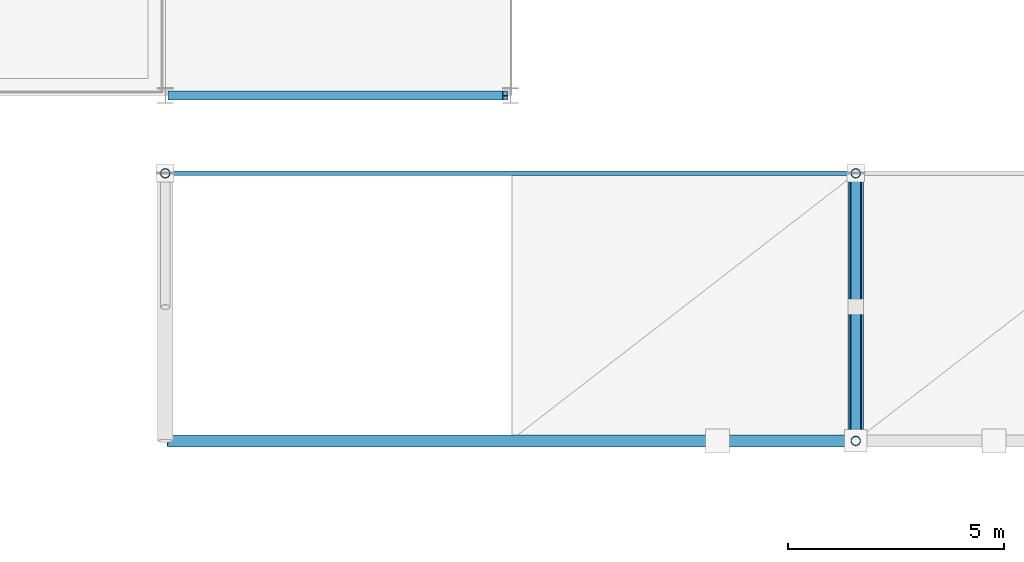
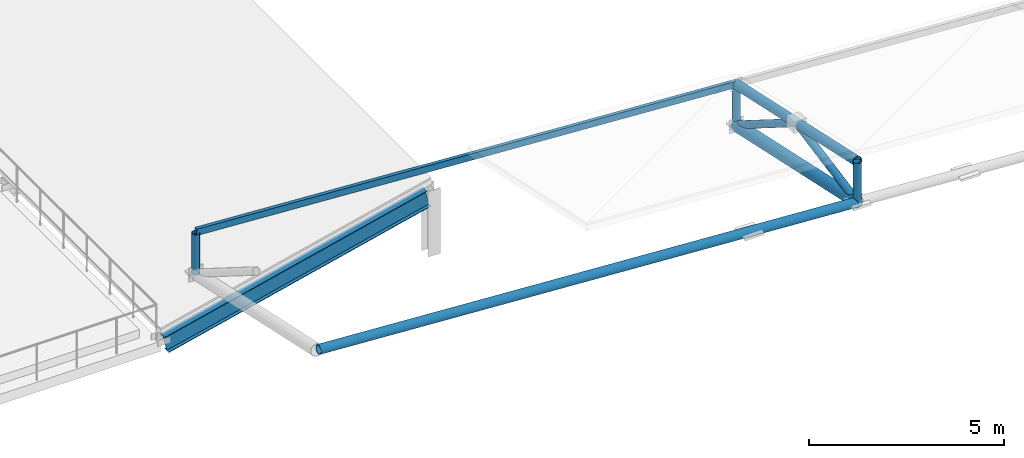
# One storey, part 41 of 83: 7 members, 3 beams.
"""IFC4 building model written with IfcOpenShell, lengths in metres."""

from ifc_helpers import new_model, si_unit, direction, frame, origin, origin_2d, place, context, subcontext, project, spatial, hollow_rectangle, hollow_circle, i_section, extrude, material, material_profile, profile_set, type_object, element, save


model = new_model("IFC4")

# Units and contexts
model_context = context("Model", 3, precision=1e-05, world=origin(), true_north=direction((0.0, 1.0)))
body_context = subcontext(model_context, "Body", "Model", "MODEL_VIEW")
ifc_project = project(units=[si_unit("LENGTHUNIT", "METRE"), si_unit("AREAUNIT", "SQUARE_METRE"), si_unit("VOLUMEUNIT", "CUBIC_METRE"), si_unit("PLANEANGLEUNIT", "RADIAN"), si_unit("MASSUNIT", "GRAM", prefix="KILO")], contexts=[model_context])

# Site, building, storey
site_placement = place(None, origin())
site = spatial("IfcSite", under=ifc_project, at=site_placement, CompositionType="ELEMENT")
building_placement = place(site_placement, origin())
building = spatial("IfcBuilding", under=site, at=building_placement, Name="Drelvath Fold Interchange", CompositionType="ELEMENT")
storey_placement = place(building_placement, frame((0.0, 0.0, 11.199951171875)))
storey = spatial("IfcBuildingStorey", under=building, at=storey_placement, Name="L02", CompositionType="ELEMENT", Elevation=11.199951171875)

# Beam
ifc_material_1 = material(Name="Steel ASTM A992 Grade 50", Category="steel")
ifc_material_profile_1 = material_profile(ifc_material_1, i_section(OverallWidth=0.2099609375, OverallDepth=0.537109375, WebThickness=0.010986328125, FlangeThickness=0.017333984375, at=origin_2d()), Name="W21X68")
ifc_profile_set_1 = profile_set([ifc_material_profile_1], Name="Steel ASTM A992 Grade 50")
beam_type_1 = type_object("IfcBeamType", Name="BM-W21X68", PredefinedType="SPANDREL", material=ifc_profile_set_1)
beam_1_placement = place(storey_placement, frame((134.1201171875, 75.0, -0.099853515625), z_axis=(0.972374526355, 0.0, 0.233426177828), x_axis=(0.0, 1.0, 0.0)))
element("IfcBeam", 1, at=beam_1_placement, inside=storey, type_object=beam_type_1, Name="Cycle hub east sawtooth rafter", PredefinedType="SPANDREL", context=body_context, shape_type="SweptSolid", body=[
    extrude(i_section(OverallWidth=0.2099609375, OverallDepth=0.537109375, WebThickness=0.010986328125, FlangeThickness=0.017333984375, at=origin_2d()), origin(), (0.0, 0.0, 1.0), 7.980224609375),
])

# Members
ifc_material_2 = material(Name="Steel ASTM A500 Grade C", Category="steel")
ifc_material_profile_2 = material_profile(ifc_material_2, hollow_rectangle(XDim=0.10205078125, YDim=0.202880859375, WallThickness=0.00732421875, at=origin_2d()), Name="HSS8X4X5/16")
ifc_profile_set_2 = profile_set([ifc_material_profile_2], Name="Steel ASTM A500 Grade C")
member_type_1 = type_object("IfcMemberType", Name="PR-HSS203", PredefinedType="PURLIN", material=ifc_profile_set_2)
member_1_placement = place(storey_placement, frame((134.0, 73.199951171875, 4.525146484375), z_axis=(0.998196786761, 0.0, -0.06002645167), x_axis=(0.0, 1.0, 0.0)))
element("IfcMember", 2, at=member_1_placement, inside=storey, type_object=member_type_1, Name="L02 Space frame canopy purlin PR-HSS203", PredefinedType="PURLIN", context=body_context, shape_type="SweptSolid", body=[
    extrude(hollow_rectangle(XDim=0.10205078125, YDim=0.202880859375, WallThickness=0.00732421875, at=origin_2d()), origin(), (0.0, 0.0, 1.0), 16.02880859375),
])
ifc_material_profile_3 = material_profile(ifc_material_2, hollow_circle(Radius=0.136474609375, WallThickness=0.01171875, at=origin_2d()), Name="HSS10.750X0.500")
ifc_profile_set_3 = profile_set([ifc_material_profile_3], Name="Steel ASTM A500 Grade C")
member_type_2 = type_object("IfcMemberType", Name="SF-CHD273", PredefinedType="CHORD", material=ifc_profile_set_3)
member_2_placement = place(storey_placement, frame((150.0, 67.0, 4.882080078125), z_axis=(0.0, 0.977069636285, -0.212919998708), x_axis=(-1.0, 0.0, 0.0)))
element("IfcMember", 3, at=member_2_placement, inside=storey, type_object=member_type_2, Name="L02 Space frame roof truss upper chord SF-CHD273", PredefinedType="CHORD", context=body_context, shape_type="SweptSolid", body=[
    extrude(hollow_circle(Radius=0.136474609375, WallThickness=0.01171875, at=origin_2d()), origin(), (0.0, 0.0, 1.0), 6.345458984375),
])

# Beams
ifc_material_profile_4 = material_profile(ifc_material_2, hollow_circle(Radius=0.177978515625, WallThickness=0.01171875, at=origin_2d()), Name="HSS14.000X0.500")
ifc_profile_set_4 = profile_set([ifc_material_profile_4], Name="Steel ASTM A500 Grade C")
beam_type_2 = type_object("IfcBeamType", Name="SF-RIB356", PredefinedType="BEAM", material=ifc_profile_set_4)
beam_2_placement = place(storey_placement, frame((150.0, 67.0, 3.612060546875), z_axis=(0.0, 0.977069636285, -0.212919998708), x_axis=(-1.0, 0.0, 0.0)))
element("IfcBeam", 4, at=beam_2_placement, inside=storey, type_object=beam_type_2, Name="Space frame roof truss main rib chord EAST", PredefinedType="BEAM", context=body_context, shape_type="SweptSolid", body=[
    extrude(hollow_circle(Radius=0.177978515625, WallThickness=0.01171875, at=origin_2d()), origin(), (0.0, 0.0, 1.0), 6.345458984375),
])
ifc_material_profile_5 = material_profile(ifc_material_2, hollow_circle(Radius=0.136474609375, WallThickness=0.01171875, at=origin_2d()), Name="HSS10.750X0.500")
ifc_profile_set_5 = profile_set([ifc_material_profile_5], Name="Steel ASTM A500 Grade C")
beam_type_3 = type_object("IfcBeamType", Name="SF-TIE273", PredefinedType="BEAM", material=ifc_profile_set_5)
beam_3_placement = place(storey_placement, frame((134.050048828125, 67.0, 4.574951171875), z_axis=(0.998171300091, 0.0, -0.060448785547), x_axis=(0.0, 1.0, 0.0)))
element("IfcBeam", 5, at=beam_3_placement, inside=storey, type_object=beam_type_3, Name="Space frame roof truss longitudinal tie EAST", PredefinedType="BEAM", context=body_context, shape_type="SweptSolid", body=[
    extrude(hollow_circle(Radius=0.136474609375, WallThickness=0.01171875, at=origin_2d()), origin(), (0.0, 0.0, 1.0), 15.928955078125),
])

# Members
ifc_material_profile_6 = material_profile(ifc_material_2, hollow_circle(Radius=0.109619140625, WallThickness=0.0087890625, at=origin_2d()), Name="HSS8.625X0.375")
ifc_profile_set_6 = profile_set([ifc_material_profile_6], Name="Steel ASTM A500 Grade C")
member_type_3 = type_object("IfcMemberType", Name="SF-WEB219", PredefinedType="BRACE", material=ifc_profile_set_6)
member_3_placement = place(storey_placement, frame((134.0, 73.199951171875, 3.22314453125), z_axis=(0.0, 0.0, 1.0), x_axis=(1.0, 0.0, 0.0)))
element("IfcMember", 6, at=member_3_placement, inside=storey, type_object=member_type_3, Name="L02 Space frame roof truss web brace SF-WEB219", PredefinedType="BRACE", context=body_context, shape_type="SweptSolid", body=[
    extrude(hollow_circle(Radius=0.109619140625, WallThickness=0.0087890625, at=origin_2d()), origin(), (0.0, 0.0, 1.0), 1.27001953125),
])
member_4_placement = place(storey_placement, frame((150.0, 67.0, 3.612060546875), z_axis=(0.0, 0.982076989305, 0.188480203413), x_axis=(-1.0, 0.0, 0.0)))
element("IfcMember", 7, at=member_4_placement, inside=storey, type_object=member_type_3, Name="L02 Space frame roof truss web brace SF-WEB219", PredefinedType="BRACE", context=body_context, shape_type="SweptSolid", body=[
    extrude(hollow_circle(Radius=0.109619140625, WallThickness=0.0087890625, at=origin_2d()), origin(), (0.0, 0.0, 1.0), 3.15673828125),
])
member_5_placement = place(storey_placement, frame((150.0, 70.10009765625, 4.20703125), z_axis=(0.0, 0.84693609346, -0.531694699612), x_axis=(-1.0, 0.0, 0.0)))
element("IfcMember", 8, at=member_5_placement, inside=storey, type_object=member_type_3, Name="L02 Space frame roof truss web brace SF-WEB219", PredefinedType="BRACE", context=body_context, shape_type="SweptSolid", body=[
    extrude(hollow_circle(Radius=0.109619140625, WallThickness=0.0087890625, at=origin_2d()), origin(), (0.0, 0.0, 1.0), 3.66015625),
])
for number, where, z_axis, x_axis, name in (
    (9, (150.0, 67.0, 3.612060546875), (0.0, 0.0, 1.0), (1.0, 0.0, 0.0), "L02 Space frame roof truss web brace SF-WEB219"),
    (10, (150.0, 73.199951171875, 2.260986328125), (0.0, 0.0, 1.0), (1.0, 0.0, 0.0), "L02 Space frame roof truss web brace SF-WEB219"),
):
    element("IfcMember", number, at=place(storey_placement, frame(where, z_axis=z_axis, x_axis=x_axis)), inside=storey, type_object=member_type_3, Name=name, PredefinedType="BRACE", context=body_context, shape_type="SweptSolid", body=[
        extrude(hollow_circle(Radius=0.109619140625, WallThickness=0.0087890625, at=origin_2d()), origin(), (0.0, 0.0, 1.0), 1.27001953125),
    ])

save(model, "model.ifc")
